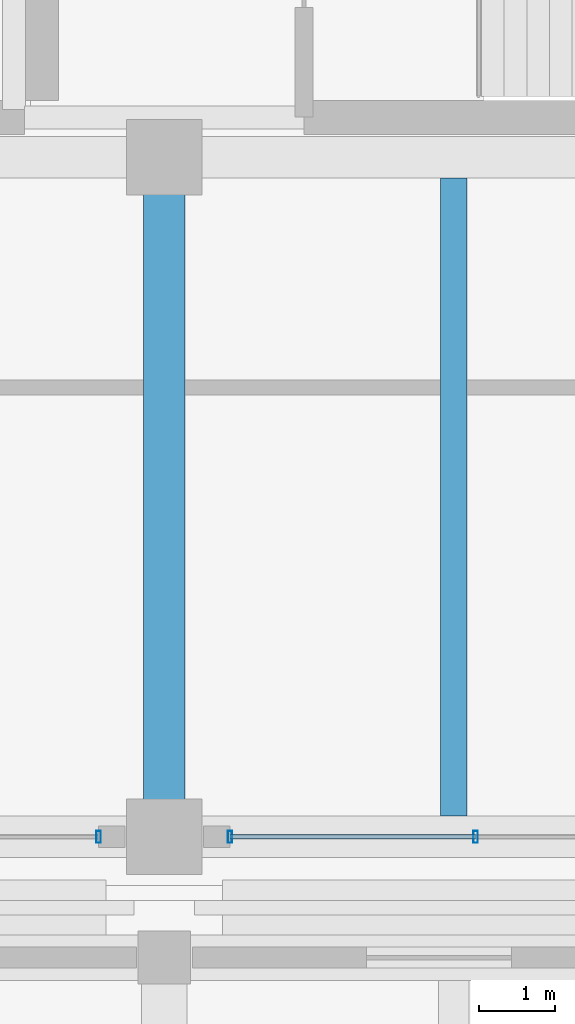
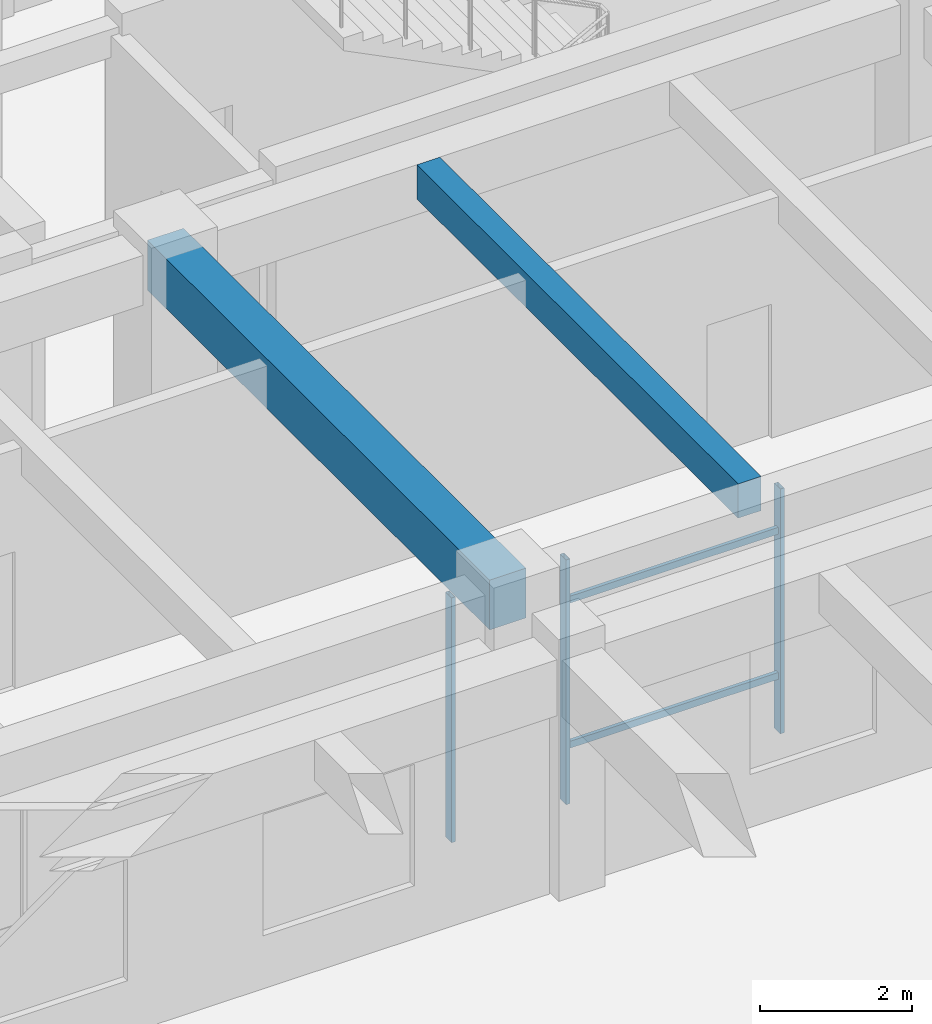
# One storey, part 22 of 98: 5 members, 2 beams, 2 elements without a shape of their own.
"""IFC4 building model written with IfcOpenShell, lengths in metres."""

from ifc_helpers import new_model, si_unit, direction, frame, origin, origin_2d, place, context, subcontext, project, spatial, rectangle, hollow_rectangle, extrude, material, material_profile, profile_set, type_object, element, aggregate, save


model = new_model("IFC4")

# Units and contexts
model_context = context("Model", 3, precision=1e-05, world=origin(), true_north=direction((0.0, 1.0)))
body_context = subcontext(model_context, "Body", "Model", "MODEL_VIEW")
ifc_project = project(units=[si_unit("LENGTHUNIT", "METRE"), si_unit("AREAUNIT", "SQUARE_METRE"), si_unit("VOLUMEUNIT", "CUBIC_METRE"), si_unit("PLANEANGLEUNIT", "RADIAN"), si_unit("MASSUNIT", "GRAM", prefix="KILO")], contexts=[model_context])

# Site, building, storey
site_placement = place(None, origin())
site = spatial("IfcSite", under=ifc_project, at=site_placement, CompositionType="ELEMENT")
building_placement = place(site_placement, origin())
building = spatial("IfcBuilding", under=site, at=building_placement, Name="Ologun Quay Terminus", CompositionType="ELEMENT")
storey_placement = place(building_placement, frame((0.0, 0.0, 4.199951171875)))
storey = spatial("IfcBuildingStorey", under=building, at=storey_placement, Name="L01", CompositionType="ELEMENT", Elevation=4.199951171875)

# Curtain wall, member
ifc_material_1 = material(Name="Aluminium 6063-T6", Category="aluminium")
curtain_wall_type = type_object("IfcCurtainWallType", Name="Waterfront Pavilion Harbour Curtain Wall L01 10500x3850", PredefinedType="USERDEFINED", material=ifc_material_1)
curtain_wall_1_placement = place(storey_placement, origin())
curtain_wall_1 = element("IfcCurtainWall", 1, at=curtain_wall_1_placement, inside=storey, type_object=curtain_wall_type, Name="CW-23 Curtain Wall CW-L01-097", ObjectType="UNITISED CURTAIN WALL", PredefinedType="USERDEFINED")
ifc_material_2 = material(Name="Aluminium 6063-T6", Category="aluminium")
ifc_material_profile_1 = material_profile(ifc_material_2, hollow_rectangle(XDim=0.06005859375, YDim=0.159912109375, WallThickness=0.00390625, at=origin_2d()), Name="ALU 160x60x4")
ifc_profile_set_1 = profile_set([ifc_material_profile_1], Name="Aluminium 6063-T6")
member_type_1 = type_object("IfcMemberType", Name="Courtyard Screen Mullion 160x65", PredefinedType="MULLION", material=ifc_profile_set_1)
member_1_placement = place(storey_placement, frame((33.6298828125, 85.800048828125, 0.0), z_axis=(0.0, 0.0, 1.0), x_axis=(1.0, 0.0, 0.0)))
member_1 = element("IfcMember", 2, at=member_1_placement, type_object=member_type_1, Name="CW-L01-097 Mullion 4", PredefinedType="MULLION", context=body_context, shape_type="SweptSolid", body=[
    extrude(hollow_rectangle(XDim=0.06005859375, YDim=0.159912109375, WallThickness=0.00390625, at=origin_2d()), origin(), (0.0, 0.0, 1.0), 3.929931640625),
])
aggregate(curtain_wall_1, [member_1])

# Curtain wall, members
curtain_wall_2_placement = place(storey_placement, origin())
curtain_wall_2 = element("IfcCurtainWall", 3, at=curtain_wall_2_placement, inside=storey, type_object=curtain_wall_type, Name="CW-23 Curtain Wall CW-L01-098", ObjectType="UNITISED CURTAIN WALL", PredefinedType="USERDEFINED")
member_2_placement = place(storey_placement, frame((35.3701171875, 85.800048828125, 0.0), z_axis=(0.0, 0.0, 1.0), x_axis=(1.0, 0.0, 0.0)))
member_2 = element("IfcMember", 4, at=member_2_placement, type_object=member_type_1, Name="CW-L01-098 Mullion 1", PredefinedType="MULLION", context=body_context, shape_type="SweptSolid", body=[
    extrude(hollow_rectangle(XDim=0.06005859375, YDim=0.159912109375, WallThickness=0.00390625, at=origin_2d()), origin(), (0.0, 0.0, 1.0), 3.929931640625),
])
member_3_placement = place(storey_placement, frame((38.623291015625, 85.800048828125, 0.0), z_axis=(0.0, 0.0, 1.0), x_axis=(1.0, 0.0, 0.0)))
member_3 = element("IfcMember", 5, at=member_3_placement, type_object=member_type_1, Name="CW-L01-098 Mullion 2", PredefinedType="MULLION", context=body_context, shape_type="SweptSolid", body=[
    extrude(hollow_rectangle(XDim=0.06005859375, YDim=0.159912109375, WallThickness=0.00390625, at=origin_2d()), origin(), (0.0, 0.0, 1.0), 3.929931640625),
])
ifc_material_3 = material(Name="Aluminium 6063-T6", Category="aluminium")
ifc_material_profile_2 = material_profile(ifc_material_3, hollow_rectangle(XDim=0.054931640625, YDim=0.110107421875, WallThickness=0.00390625, at=origin_2d()), Name="ALU 110x55x4")
ifc_profile_set_2 = profile_set([ifc_material_profile_2], Name="Aluminium 6063-T6")
member_type_2 = type_object("IfcMemberType", Name="Courtyard Screen Transom 110x55", PredefinedType="USERDEFINED", material=ifc_profile_set_2)
member_4_placement = place(storey_placement, frame((35.3701171875, 85.800048828125, 0.900146484375), z_axis=(1.0, 0.0, 0.0), x_axis=(0.0, 1.0, 0.0)))
member_4 = element("IfcMember", 6, at=member_4_placement, type_object=member_type_2, Name="CW-L01-098 Transom B1-1", ObjectType="TRANSOM", PredefinedType="USERDEFINED", context=body_context, shape_type="SweptSolid", body=[
    extrude(hollow_rectangle(XDim=0.054931640625, YDim=0.110107421875, WallThickness=0.00390625, at=origin_2d()), origin(), (0.0, 0.0, 1.0), 3.253173828125),
])
member_5_placement = place(storey_placement, frame((35.3701171875, 85.800048828125, 3.22998046875), z_axis=(1.0, 0.0, 0.0), x_axis=(0.0, 1.0, 0.0)))
member_5 = element("IfcMember", 7, at=member_5_placement, type_object=member_type_2, Name="CW-L01-098 Transom B1-2", ObjectType="TRANSOM", PredefinedType="USERDEFINED", context=body_context, shape_type="SweptSolid", body=[
    extrude(hollow_rectangle(XDim=0.054931640625, YDim=0.110107421875, WallThickness=0.00390625, at=origin_2d()), origin(), (0.0, 0.0, 1.0), 3.253173828125),
])
aggregate(curtain_wall_2, [member_2, member_3, member_4, member_5])

# Beams
ifc_material_4 = material(Name="Concrete C40/50", Category="concrete")
ifc_material_profile_3 = material_profile(ifc_material_4, rectangle(XDim=0.550048828125, YDim=0.800048828125, at=origin_2d()), Name="RC 550x800")
ifc_profile_set_3 = profile_set([ifc_material_profile_3], Name="Concrete C40/50")
beam_type_1 = type_object("IfcBeamType", Name="Courtyard Wing Primary Girder 550x800", PredefinedType="BEAM", material=ifc_profile_set_3)
beam_1_placement = place(storey_placement, frame((34.5, 85.800048828125, 3.550048828125), z_axis=(0.0, 1.0, 0.0), x_axis=(-1.0, 0.0, 0.0)))
element("IfcBeam", 8, at=beam_1_placement, inside=storey, type_object=beam_type_1, Name="B4 Beam 4/G2 L01", PredefinedType="BEAM", context=body_context, shape_type="SweptSolid", body=[
    extrude(rectangle(XDim=0.550048828125, YDim=0.800048828125, at=origin_2d()), origin(), (0.0, 0.0, 1.0), 9.0),
])
ifc_material_5 = material(Name="Concrete C40/50", Category="concrete")
ifc_material_profile_4 = material_profile(ifc_material_5, rectangle(XDim=0.35009765625, YDim=0.550048828125, at=origin_2d()), Name="RC 350x550")
ifc_profile_set_4 = profile_set([ifc_material_profile_4], Name="Concrete C40/50")
beam_type_2 = type_object("IfcBeamType", Name="Courtyard Wing Secondary Joist 350x550", PredefinedType="JOIST", material=ifc_profile_set_4)
beam_2_placement = place(storey_placement, frame((38.333251953125, 86.074951171875, 3.675048828125), z_axis=(0.0, 1.0, 0.0), x_axis=(-1.0, 0.0, 0.0)))
element("IfcBeam", 9, at=beam_2_placement, inside=storey, type_object=beam_type_2, Name="J2 Beam 4/G2 L01", PredefinedType="JOIST", context=body_context, shape_type="SweptSolid", body=[
    extrude(rectangle(XDim=0.35009765625, YDim=0.550048828125, at=origin_2d()), origin(), (0.0, 0.0, 1.0), 8.449951171875),
])

save(model, "model.ifc")
